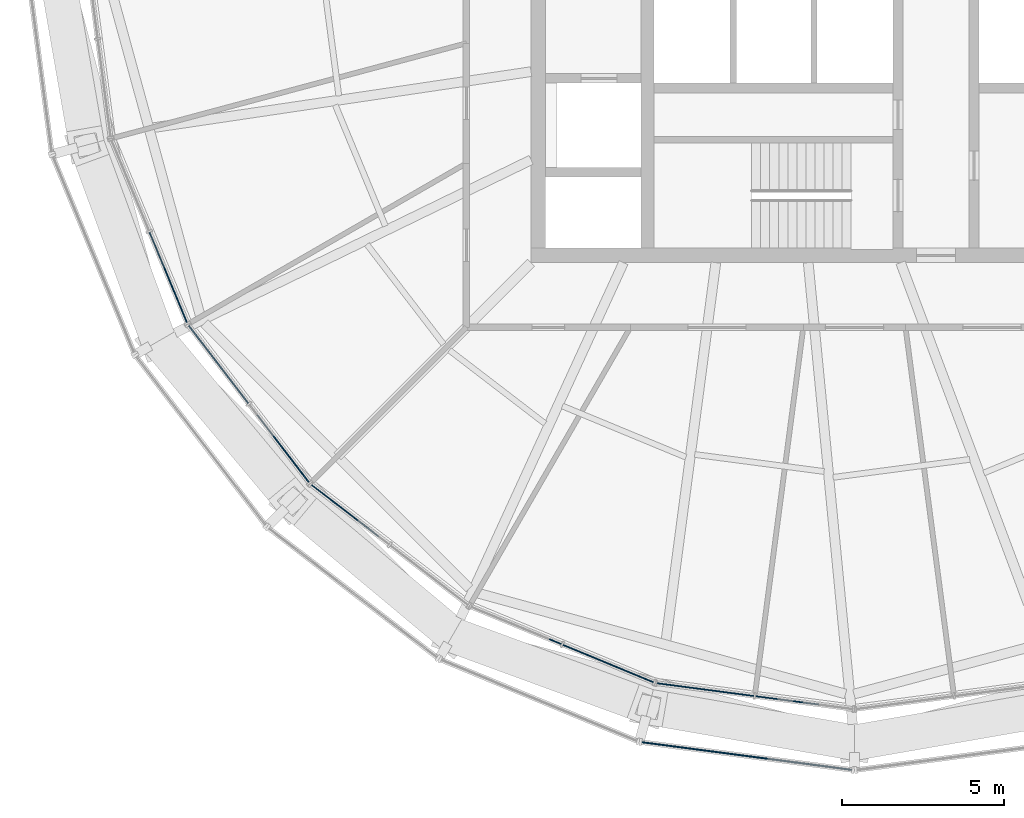
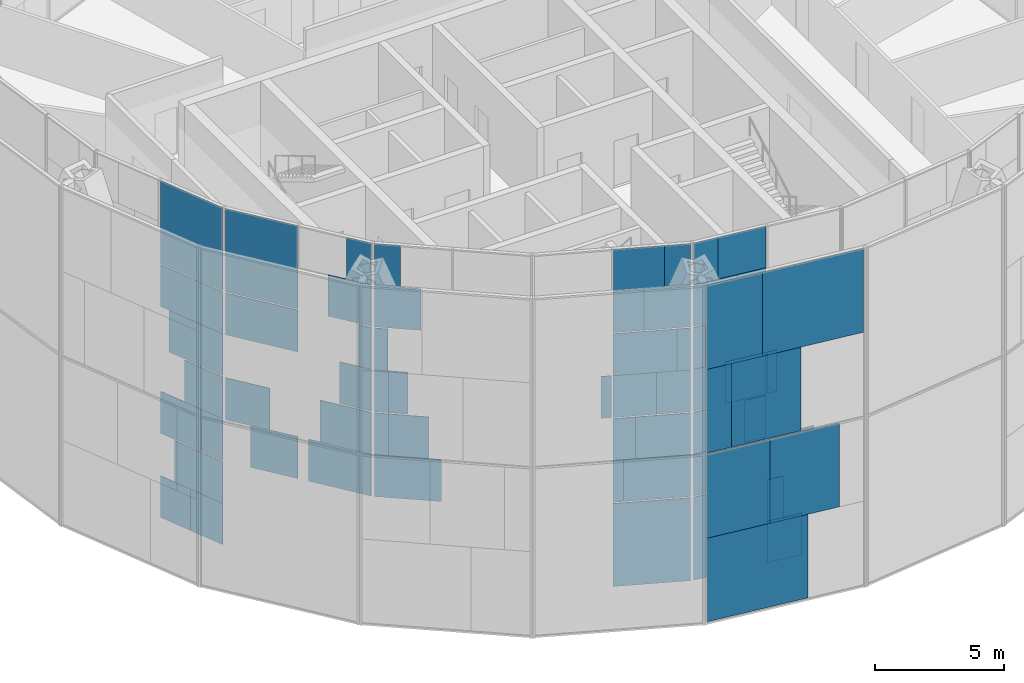
# One storey, part 13 of 28: 63 plates, 6 elements without a shape of their own.
"""IFC4 building model written with IfcOpenShell, lengths in metres."""

from ifc_helpers import new_model, si_unit, direction, frame, origin, origin_2d, place, context, subcontext, project, spatial, rectangle, extrude, material, layer, layer_set, type_object, element, aggregate, save


model = new_model("IFC4")

# Units and contexts
model_context = context("Model", 3, precision=1e-05, world=origin(), true_north=direction((0.0, 1.0)))
body_context = subcontext(model_context, "Body", "Model", "MODEL_VIEW")
ifc_project = project(units=[si_unit("LENGTHUNIT", "METRE"), si_unit("AREAUNIT", "SQUARE_METRE"), si_unit("VOLUMEUNIT", "CUBIC_METRE"), si_unit("PLANEANGLEUNIT", "RADIAN"), si_unit("MASSUNIT", "GRAM", prefix="KILO")], contexts=[model_context])

# Site, building, storey
site_placement = place(None, origin())
site = spatial("IfcSite", under=ifc_project, at=site_placement, CompositionType="ELEMENT")
building_placement = place(site_placement, origin())
building = spatial("IfcBuilding", under=site, at=building_placement, Name="Golbaran Civic Tower", CompositionType="ELEMENT")
storey_placement = place(building_placement, frame((0.0, 0.0, 183.0)))
storey = spatial("IfcBuildingStorey", under=building, at=storey_placement, Name="L44", CompositionType="ELEMENT", Elevation=183.0)

# Curtain wall, plates
ifc_material_1 = material(Name="Aluminium and glass", Category="aluminium")
curtain_wall_type_1 = type_object("IfcCurtainWallType", Name="INNER SKIN CURTAIN WALL EXECUTIVE", PredefinedType="NOTDEFINED", material=ifc_material_1)
curtain_wall_1_placement = place(storey_placement, origin())
curtain_wall_1 = element("IfcCurtainWall", 1, at=curtain_wall_1_placement, inside=storey, type_object=curtain_wall_type_1, Name="Inner skin L44 facet 14 CW2", ObjectType="INNER SKIN", PredefinedType="USERDEFINED")
ifc_material_2 = material(Name="Clear insulating glass", Category="glass")
ifc_layer_1 = layer(ifc_material_2, 0.031982421875, Name="Clear insulating glass")
ifc_layer_set_1 = layer_set([ifc_layer_1], Name="Clear insulating glass")
plate_type_1 = type_object("IfcPlateType", Name="INNER SKIN CURTAIN WALL EXECUTIVE GLAZED PANEL", PredefinedType="CURTAIN_PANEL", material=ifc_layer_set_1)
plate_1_placement = place(storey_placement, frame((-21.5205078125, -9.736083984375, 0.06005859375), z_axis=(0.0, 0.0, 1.0), x_axis=(0.382683432413, -0.923879532491, 0.0)))
plate_1 = element("IfcPlate", 2, at=plate_1_placement, type_object=plate_type_1, Name="CW2 panel 2.1 part 1", PredefinedType="CURTAIN_PANEL", context=body_context, shape_type="SweptSolid", body=[
    extrude(rectangle(XDim=1.458984375, YDim=0.031982421875, at=origin_2d()), origin(), (0.0, 0.0, 1.0), 1.955078125),
])
plate_2_placement = place(storey_placement, frame((-20.84765625, -11.36083984375, 4.02978515625), z_axis=(0.0, 0.0, 1.0), x_axis=(0.382683432413, -0.923879532491, 0.0)))
plate_2 = element("IfcPlate", 3, at=plate_2_placement, type_object=plate_type_1, Name="CW2 panel 2.2 part 2", PredefinedType="CURTAIN_PANEL", context=body_context, shape_type="SweptSolid", body=[
    extrude(rectangle(XDim=1.06005859375, YDim=0.031982421875, at=origin_2d()), origin(), (0.0, 0.0, 1.0), 1.969970703125),
])
plate_3_placement = place(storey_placement, frame((-20.999755859375, -10.99365234375, 6.0), z_axis=(0.0, 0.0, 1.0), x_axis=(0.382683432413, -0.923879532491, 0.0)))
plate_3 = element("IfcPlate", 4, at=plate_3_placement, type_object=plate_type_1, Name="CW2 panel 2.2 part 4", PredefinedType="CURTAIN_PANEL", context=body_context, shape_type="SweptSolid", body=[
    extrude(rectangle(XDim=1.85498046875, YDim=0.031982421875, at=origin_2d()), origin(), (0.0, 0.0, 1.0), 1.969970703125),
])
plate_4_placement = place(storey_placement, frame((-21.1455078125, -10.6416015625, 8.02978515625), z_axis=(0.0, 0.0, 1.0), x_axis=(0.382683432413, -0.923879532491, 0.0)))
plate_4 = element("IfcPlate", 5, at=plate_4_placement, type_object=plate_type_1, Name="CW2 panel 2.3 part 2", PredefinedType="CURTAIN_PANEL", context=body_context, shape_type="SweptSolid", body=[
    extrude(rectangle(XDim=2.6171875, YDim=0.031982421875, at=origin_2d()), origin(), (0.0, 0.0, 1.0), 1.969970703125),
])
plate_5_placement = place(storey_placement, frame((-21.22216796875, -10.456298828125, 10.0), z_axis=(0.0, 0.0, 1.0), x_axis=(0.382683432413, -0.923879532491, 0.0)))
plate_5 = element("IfcPlate", 6, at=plate_5_placement, type_object=plate_type_1, Name="CW2 panel 2.3 part 3", PredefinedType="CURTAIN_PANEL", context=body_context, shape_type="SweptSolid", body=[
    extrude(rectangle(XDim=3.01806640625, YDim=0.031982421875, at=origin_2d()), origin(), (0.0, 0.0, 1.0), 1.969970703125),
])
plate_6_placement = place(storey_placement, frame((-21.22216796875, -10.456298828125, 12.0302734375), z_axis=(0.0, 0.0, 1.0), x_axis=(0.382683432413, -0.923879532491, 0.0)))
plate_6 = element("IfcPlate", 7, at=plate_6_placement, type_object=plate_type_1, Name="CW2 panel 2.4", PredefinedType="CURTAIN_PANEL", context=body_context, shape_type="SweptSolid", body=[
    extrude(rectangle(XDim=3.01806640625, YDim=0.031982421875, at=origin_2d()), origin(), (0.0, 0.0, 1.0), 3.909912109375),
])

curtain_wall_2_placement = place(storey_placement, origin())
curtain_wall_2 = element("IfcCurtainWall", 8, at=curtain_wall_2_placement, inside=storey, type_object=curtain_wall_type_1, Name="Inner skin L44 facet 15 CW2", ObjectType="INNER SKIN", PredefinedType="USERDEFINED")
plate_7_placement = place(storey_placement, frame((-20.020751953125, -12.689453125, 6.0), z_axis=(0.0, 0.0, 1.0), x_axis=(0.608761428953, -0.793353340334, 0.0)))
plate_7 = element("IfcPlate", 9, at=plate_7_placement, type_object=plate_type_1, Name="CW2 panel 1.2 part 3", PredefinedType="CURTAIN_PANEL", context=body_context, shape_type="SweptSolid", body=[
    extrude(rectangle(XDim=1.85498046875, YDim=0.031982421875, at=origin_2d()), origin(), (0.0, 0.0, 1.0), 1.969970703125),
])
plate_8_placement = place(storey_placement, frame((-19.66650390625, -13.15087890625, 10.0), z_axis=(0.0, 0.0, 1.0), x_axis=(0.608761428953, -0.793353340334, 0.0)))
plate_8 = element("IfcPlate", 10, at=plate_8_placement, type_object=plate_type_1, Name="CW2 panel 1.3 part 3", PredefinedType="CURTAIN_PANEL", context=body_context, shape_type="SweptSolid", body=[
    extrude(rectangle(XDim=3.01806640625, YDim=0.031982421875, at=origin_2d()), origin(), (0.0, 0.0, 1.0), 1.969970703125),
])
plate_9_placement = place(storey_placement, frame((-19.66650390625, -13.15087890625, 12.0302734375), z_axis=(0.0, 0.0, 1.0), x_axis=(0.608761428953, -0.793353340334, 0.0)))
plate_9 = element("IfcPlate", 11, at=plate_9_placement, type_object=plate_type_1, Name="CW2 panel 1.4", PredefinedType="CURTAIN_PANEL", context=body_context, shape_type="SweptSolid", body=[
    extrude(rectangle(XDim=3.01806640625, YDim=0.031982421875, at=origin_2d()), origin(), (0.0, 0.0, 1.0), 3.909912109375),
])
plate_10_placement = place(storey_placement, frame((-17.671142578125, -15.75146484375, 4.02978515625), z_axis=(0.0, 0.0, 1.0), x_axis=(0.608761428953, -0.793353340334, 0.0)))
plate_10 = element("IfcPlate", 12, at=plate_10_placement, type_object=plate_type_1, Name="CW2 panel 2.2 part 2", PredefinedType="CURTAIN_PANEL", context=body_context, shape_type="SweptSolid", body=[
    extrude(rectangle(XDim=2.6181640625, YDim=0.031982421875, at=origin_2d()), origin(), (0.0, 0.0, 1.0), 1.969970703125),
])
plate_11_placement = place(storey_placement, frame((-17.5244140625, -15.942626953125, 6.0), z_axis=(0.0, 0.0, 1.0), x_axis=(0.608761428953, -0.793353340334, 0.0)))
plate_11 = element("IfcPlate", 13, at=plate_11_placement, type_object=plate_type_1, Name="CW2 panel 2.2 part 4", PredefinedType="CURTAIN_PANEL", context=body_context, shape_type="SweptSolid", body=[
    extrude(rectangle(XDim=2.135986328125, YDim=0.031982421875, at=origin_2d()), origin(), (0.0, 0.0, 1.0), 1.969970703125),
])
plate_12_placement = place(storey_placement, frame((-17.275146484375, -16.267578125, 8.02978515625), z_axis=(0.0, 0.0, 1.0), x_axis=(0.608761428953, -0.793353340334, 0.0)))
plate_12 = element("IfcPlate", 14, at=plate_12_placement, type_object=plate_type_1, Name="CW2 panel 2.3 part 2", PredefinedType="CURTAIN_PANEL", context=body_context, shape_type="SweptSolid", body=[
    extrude(rectangle(XDim=1.317138671875, YDim=0.031982421875, at=origin_2d()), origin(), (0.0, 0.0, 1.0), 1.969970703125),
])
plate_13_placement = place(storey_placement, frame((-17.033447265625, -16.58251953125, 10.0), z_axis=(0.0, 0.0, 1.0), x_axis=(0.608761428953, -0.793353340334, 0.0)))
plate_13 = element("IfcPlate", 15, at=plate_13_placement, type_object=plate_type_1, Name="CW2 panel 2.3 part 4", PredefinedType="CURTAIN_PANEL", context=body_context, shape_type="SweptSolid", body=[
    extrude(rectangle(XDim=0.523193359375, YDim=0.031982421875, at=origin_2d()), origin(), (0.0, 0.0, 1.0), 1.969970703125),
])

curtain_wall_3_placement = place(storey_placement, origin())
curtain_wall_3 = element("IfcCurtainWall", 16, at=curtain_wall_3_placement, inside=storey, type_object=curtain_wall_type_1, Name="Inner skin L44 facet 16 CW2", ObjectType="INNER SKIN", PredefinedType="USERDEFINED")
plate_14_placement = place(storey_placement, frame((-15.751953125, -17.670654296875, 4.02978515625), z_axis=(0.0, 0.0, 1.0), x_axis=(0.793353340334, -0.608761428953, 0.0)))
plate_14 = element("IfcPlate", 17, at=plate_14_placement, type_object=plate_type_1, Name="CW2 panel 1.2 part 1", PredefinedType="CURTAIN_PANEL", context=body_context, shape_type="SweptSolid", body=[
    extrude(rectangle(XDim=2.616943359375, YDim=0.031982421875, at=origin_2d()), origin(), (0.0, 0.0, 1.0), 1.969970703125),
])
plate_15_placement = place(storey_placement, frame((-15.942626953125, -17.5244140625, 6.0), z_axis=(0.0, 0.0, 1.0), x_axis=(0.793353340334, -0.608761428953, 0.0)))
plate_15 = element("IfcPlate", 18, at=plate_15_placement, type_object=plate_type_1, Name="CW2 panel 1.2 part 3", PredefinedType="CURTAIN_PANEL", context=body_context, shape_type="SweptSolid", body=[
    extrude(rectangle(XDim=2.135986328125, YDim=0.031982421875, at=origin_2d()), origin(), (0.0, 0.0, 1.0), 1.969970703125),
])
plate_16_placement = place(storey_placement, frame((-16.267578125, -17.27490234375, 8.02978515625), z_axis=(0.0, 0.0, 1.0), x_axis=(0.793353340334, -0.608761428953, 0.0)))
plate_16 = element("IfcPlate", 19, at=plate_16_placement, type_object=plate_type_1, Name="CW2 panel 1.3 part 1", PredefinedType="CURTAIN_PANEL", context=body_context, shape_type="SweptSolid", body=[
    extrude(rectangle(XDim=1.31689453125, YDim=0.031982421875, at=origin_2d()), origin(), (0.0, 0.0, 1.0), 1.969970703125),
])
plate_17_placement = place(storey_placement, frame((-16.58251953125, -17.033447265625, 10.0), z_axis=(0.0, 0.0, 1.0), x_axis=(0.793353340334, -0.608761428953, 0.0)))
plate_17 = element("IfcPlate", 20, at=plate_17_placement, type_object=plate_type_1, Name="CW2 panel 1.3 part 3", PredefinedType="CURTAIN_PANEL", context=body_context, shape_type="SweptSolid", body=[
    extrude(rectangle(XDim=0.52294921875, YDim=0.031982421875, at=origin_2d()), origin(), (0.0, 0.0, 1.0), 1.969970703125),
])

curtain_wall_4_placement = place(storey_placement, origin())
curtain_wall_4 = element("IfcCurtainWall", 21, at=curtain_wall_4_placement, inside=storey, type_object=curtain_wall_type_1, Name="Inner skin L44 facet 17 CW2", ObjectType="INNER SKIN", PredefinedType="USERDEFINED")
plate_18_placement = place(storey_placement, frame((-7.612548828125, -22.400146484375, 0.06005859375), z_axis=(0.0, 0.0, 1.0), x_axis=(0.923879532491, -0.382683432413, 0.0)))
plate_18 = element("IfcPlate", 22, at=plate_18_placement, type_object=plate_type_1, Name="CW2 panel 2.1", PredefinedType="CURTAIN_PANEL", context=body_context, shape_type="SweptSolid", body=[
    extrude(rectangle(XDim=3.01806640625, YDim=0.031982421875, at=origin_2d()), origin(), (0.0, 0.0, 1.0), 3.909912109375),
])
plate_19_placement = place(storey_placement, frame((-7.427734375, -22.476806640625, 4.02978515625), z_axis=(0.0, 0.0, 1.0), x_axis=(0.923879532491, -0.382683432413, 0.0)))
plate_19 = element("IfcPlate", 23, at=plate_19_placement, type_object=plate_type_1, Name="CW2 panel 2.2 part 2", PredefinedType="CURTAIN_PANEL", context=body_context, shape_type="SweptSolid", body=[
    extrude(rectangle(XDim=2.6181640625, YDim=0.031982421875, at=origin_2d()), origin(), (0.0, 0.0, 1.0), 1.969970703125),
])
plate_20_placement = place(storey_placement, frame((-7.205078125, -22.56884765625, 6.0), z_axis=(0.0, 0.0, 1.0), x_axis=(0.923879532491, -0.382683432413, 0.0)))
plate_20 = element("IfcPlate", 24, at=plate_20_placement, type_object=plate_type_1, Name="CW2 panel 2.2 part 4", PredefinedType="CURTAIN_PANEL", context=body_context, shape_type="SweptSolid", body=[
    extrude(rectangle(XDim=2.135986328125, YDim=0.031982421875, at=origin_2d()), origin(), (0.0, 0.0, 1.0), 1.969970703125),
])
plate_21_placement = place(storey_placement, frame((-6.826904296875, -22.7255859375, 8.02978515625), z_axis=(0.0, 0.0, 1.0), x_axis=(0.923879532491, -0.382683432413, 0.0)))
plate_21 = element("IfcPlate", 25, at=plate_21_placement, type_object=plate_type_1, Name="CW2 panel 2.3 part 2", PredefinedType="CURTAIN_PANEL", context=body_context, shape_type="SweptSolid", body=[
    extrude(rectangle(XDim=1.317138671875, YDim=0.031982421875, at=origin_2d()), origin(), (0.0, 0.0, 1.0), 1.969970703125),
])
plate_22_placement = place(storey_placement, frame((-6.4599609375, -22.877685546875, 10.0), z_axis=(0.0, 0.0, 1.0), x_axis=(0.923879532491, -0.382683432413, 0.0)))
plate_22 = element("IfcPlate", 26, at=plate_22_placement, type_object=plate_type_1, Name="CW2 panel 2.3 part 4", PredefinedType="CURTAIN_PANEL", context=body_context, shape_type="SweptSolid", body=[
    extrude(rectangle(XDim=0.523193359375, YDim=0.031982421875, at=origin_2d()), origin(), (0.0, 0.0, 1.0), 1.969970703125),
])
plate_23_placement = place(storey_placement, frame((-8.44873046875, -22.0537109375, 12.030029296875), z_axis=(0.0, 0.0, 1.0), x_axis=(0.923879532491, -0.382683432413, 0.0)))
plate_23 = element("IfcPlate", 27, at=plate_23_placement, type_object=plate_type_1, Name="CW2 panel 2.4 part 1", PredefinedType="CURTAIN_PANEL", context=body_context, shape_type="SweptSolid", body=[
    extrude(rectangle(XDim=1.2080078125, YDim=0.031982421875, at=origin_2d()), origin(), (0.0, 0.0, 1.0), 1.955078125),
])
plate_24_placement = place(storey_placement, frame((-8.084716796875, -22.20458984375, 13.98486328125), z_axis=(0.0, 0.0, 1.0), x_axis=(0.923879532491, -0.382683432413, 0.0)))
plate_24 = element("IfcPlate", 28, at=plate_24_placement, type_object=plate_type_1, Name="CW2 panel 2.4 part 3", PredefinedType="CURTAIN_PANEL", context=body_context, shape_type="SweptSolid", body=[
    extrude(rectangle(XDim=1.99609375, YDim=0.031982421875, at=origin_2d()), origin(), (0.0, 0.0, 1.0), 1.955078125),
])

curtain_wall_5_placement = place(storey_placement, origin())
curtain_wall_5 = element("IfcCurtainWall", 29, at=curtain_wall_5_placement, inside=storey, type_object=curtain_wall_type_1, Name="Inner skin L44 facet 18 CW2", ObjectType="INNER SKIN", PredefinedType="USERDEFINED")
plate_25_placement = place(storey_placement, frame((-4.607421875, -23.205322265625, 0.06005859375), z_axis=(0.0, 0.0, 1.0), x_axis=(0.991444861383, -0.130526192151, 0.0)))
plate_25 = element("IfcPlate", 30, at=plate_25_placement, type_object=plate_type_1, Name="CW2 panel 1.1", PredefinedType="CURTAIN_PANEL", context=body_context, shape_type="SweptSolid", body=[
    extrude(rectangle(XDim=3.01806640625, YDim=0.031982421875, at=origin_2d()), origin(), (0.0, 0.0, 1.0), 3.909912109375),
])
plate_26_placement = place(storey_placement, frame((-4.80615234375, -23.17919921875, 4.02978515625), z_axis=(0.0, 0.0, 1.0), x_axis=(0.991444861383, -0.130526192151, 0.0)))
plate_26 = element("IfcPlate", 31, at=plate_26_placement, type_object=plate_type_1, Name="CW2 panel 1.2 part 1", PredefinedType="CURTAIN_PANEL", context=body_context, shape_type="SweptSolid", body=[
    extrude(rectangle(XDim=2.616943359375, YDim=0.031982421875, at=origin_2d()), origin(), (0.0, 0.0, 1.0), 1.969970703125),
])
plate_27_placement = place(storey_placement, frame((-5.044677734375, -23.14794921875, 6.0), z_axis=(0.0, 0.0, 1.0), x_axis=(0.991444861383, -0.130526192151, 0.0)))
plate_27 = element("IfcPlate", 32, at=plate_27_placement, type_object=plate_type_1, Name="CW2 panel 1.2 part 3", PredefinedType="CURTAIN_PANEL", context=body_context, shape_type="SweptSolid", body=[
    extrude(rectangle(XDim=2.135986328125, YDim=0.031982421875, at=origin_2d()), origin(), (0.0, 0.0, 1.0), 1.969970703125),
])
plate_28_placement = place(storey_placement, frame((-5.45068359375, -23.094482421875, 8.02978515625), z_axis=(0.0, 0.0, 1.0), x_axis=(0.991444861383, -0.130526192151, 0.0)))
plate_28 = element("IfcPlate", 33, at=plate_28_placement, type_object=plate_type_1, Name="CW2 panel 1.3 part 1", PredefinedType="CURTAIN_PANEL", context=body_context, shape_type="SweptSolid", body=[
    extrude(rectangle(XDim=1.31689453125, YDim=0.031982421875, at=origin_2d()), origin(), (0.0, 0.0, 1.0), 1.969970703125),
])
plate_29_placement = place(storey_placement, frame((-5.84423828125, -23.04248046875, 10.0), z_axis=(0.0, 0.0, 1.0), x_axis=(0.991444861383, -0.130526192151, 0.0)))
plate_29 = element("IfcPlate", 34, at=plate_29_placement, type_object=plate_type_1, Name="CW2 panel 1.3 part 3", PredefinedType="CURTAIN_PANEL", context=body_context, shape_type="SweptSolid", body=[
    extrude(rectangle(XDim=0.52294921875, YDim=0.031982421875, at=origin_2d()), origin(), (0.0, 0.0, 1.0), 1.969970703125),
])
plate_30_placement = place(storey_placement, frame((-3.710205078125, -23.323486328125, 12.030029296875), z_axis=(0.0, 0.0, 1.0), x_axis=(0.991444861383, -0.130526192151, 0.0)))
plate_30 = element("IfcPlate", 35, at=plate_30_placement, type_object=plate_type_1, Name="CW2 panel 1.4 part 2", PredefinedType="CURTAIN_PANEL", context=body_context, shape_type="SweptSolid", body=[
    extrude(rectangle(XDim=1.2080078125, YDim=0.031982421875, at=origin_2d()), origin(), (0.0, 0.0, 1.0), 1.955078125),
])
plate_31_placement = place(storey_placement, frame((-4.100830078125, -23.272216796875, 13.98486328125), z_axis=(0.0, 0.0, 1.0), x_axis=(0.991444861383, -0.130526192151, 0.0)))
plate_31 = element("IfcPlate", 36, at=plate_31_placement, type_object=plate_type_1, Name="CW2 panel 1.4 part 4", PredefinedType="CURTAIN_PANEL", context=body_context, shape_type="SweptSolid", body=[
    extrude(rectangle(XDim=1.99609375, YDim=0.031982421875, at=origin_2d()), origin(), (0.0, 0.0, 1.0), 1.955078125),
])
plate_32_placement = place(storey_placement, frame((-2.32861328125, -23.50537109375, 0.06005859375), z_axis=(0.0, 0.0, 1.0), x_axis=(0.991444861383, -0.130526192151, 0.0)))
plate_32 = element("IfcPlate", 37, at=plate_32_placement, type_object=plate_type_1, Name="CW2 panel 2.1 part 1", PredefinedType="CURTAIN_PANEL", context=body_context, shape_type="SweptSolid", body=[
    extrude(rectangle(XDim=1.458984375, YDim=0.031982421875, at=origin_2d()), origin(), (0.0, 0.0, 1.0), 1.955078125),
])
plate_33_placement = place(storey_placement, frame((-2.7197265625, -23.453857421875, 2.014892578125), z_axis=(0.0, 0.0, 1.0), x_axis=(0.991444861383, -0.130526192151, 0.0)))
plate_33 = element("IfcPlate", 38, at=plate_33_placement, type_object=plate_type_1, Name="CW2 panel 2.1 part 3", PredefinedType="CURTAIN_PANEL", context=body_context, shape_type="SweptSolid", body=[
    extrude(rectangle(XDim=0.669921875, YDim=0.031982421875, at=origin_2d()), origin(), (0.0, 0.0, 1.0), 1.955078125),
])

# Plate
ifc_material_3 = material(Name="Aluminium faced opaque infill panel", Category="aluminium")
ifc_layer_2 = layer(ifc_material_3, 0.031982421875, Name="Aluminium faced opaque infill panel")
ifc_layer_set_2 = layer_set([ifc_layer_2], Name="Aluminium faced opaque infill panel")
plate_type_2 = type_object("IfcPlateType", Name="INNER SKIN CURTAIN WALL EXECUTIVE OPAQUE INFILL PANEL", PredefinedType="CURTAIN_PANEL", material=ifc_layer_set_2)
plate_34_placement = place(storey_placement, frame((-20.943115234375, -11.13037109375, 0.06005859375), z_axis=(0.0, 0.0, 1.0), x_axis=(0.382683432413, -0.923879532491, 0.0)))
plate_34 = element("IfcPlate", 39, at=plate_34_placement, type_object=plate_type_2, Name="CW2 infill panel 2.1 part 2", PredefinedType="CURTAIN_PANEL", context=body_context, shape_type="SweptSolid", body=[
    extrude(rectangle(XDim=1.55908203125, YDim=0.031982421875, at=origin_2d()), origin(), (0.0, 0.0, 1.0), 1.955078125),
])

plate_35_placement = place(storey_placement, frame((-21.093994140625, -10.765869140625, 2.014892578125), z_axis=(0.0, 0.0, 1.0), x_axis=(0.382683432413, -0.923879532491, 0.0)))
plate_35 = element("IfcPlate", 40, at=plate_35_placement, type_object=plate_type_2, Name="CW2 infill panel 2.1 part 4", PredefinedType="CURTAIN_PANEL", context=body_context, shape_type="SweptSolid", body=[
    extrude(rectangle(XDim=2.34814453125, YDim=0.031982421875, at=origin_2d()), origin(), (0.0, 0.0, 1.0), 1.955078125),
])

plate_36_placement = place(storey_placement, frame((-21.425048828125, -9.966796875, 4.02978515625), z_axis=(0.0, 0.0, 1.0), x_axis=(0.382683432413, -0.923879532491, 0.0)))
plate_36 = element("IfcPlate", 41, at=plate_36_placement, type_object=plate_type_2, Name="CW2 infill panel 2.2 part 1", PredefinedType="CURTAIN_PANEL", context=body_context, shape_type="SweptSolid", body=[
    extrude(rectangle(XDim=1.9580078125, YDim=0.031982421875, at=origin_2d()), origin(), (0.0, 0.0, 1.0), 1.969970703125),
])

aggregate(curtain_wall_1, [plate_1, plate_34, plate_35, plate_36, plate_2, plate_3, plate_4, plate_5, plate_6])

plate_37_placement = place(storey_placement, frame((-19.343994140625, -13.5712890625, 4.02978515625), z_axis=(0.0, 0.0, 1.0), x_axis=(0.608761428953, -0.793353340334, 0.0)))
plate_37 = element("IfcPlate", 42, at=plate_37_placement, type_object=plate_type_2, Name="CW2 infill panel 1.2 part 2", PredefinedType="CURTAIN_PANEL", context=body_context, shape_type="SweptSolid", body=[
    extrude(rectangle(XDim=1.9580078125, YDim=0.031982421875, at=origin_2d()), origin(), (0.0, 0.0, 1.0), 1.969970703125),
])

plate_38_placement = place(storey_placement, frame((-17.425048828125, -16.072021484375, 12.030029296875), z_axis=(0.0, 0.0, 1.0), x_axis=(0.608761428953, -0.793353340334, 0.0)))
plate_38 = element("IfcPlate", 43, at=plate_38_placement, type_object=plate_type_2, Name="CW2 infill panel 2.4 part 2", PredefinedType="CURTAIN_PANEL", context=body_context, shape_type="SweptSolid", body=[
    extrude(rectangle(XDim=1.81005859375, YDim=0.031982421875, at=origin_2d()), origin(), (0.0, 0.0, 1.0), 1.955078125),
])

plate_39_placement = place(storey_placement, frame((-17.185302734375, -16.384521484375, 13.98486328125), z_axis=(0.0, 0.0, 1.0), x_axis=(0.608761428953, -0.793353340334, 0.0)))
plate_39 = element("IfcPlate", 44, at=plate_39_placement, type_object=plate_type_2, Name="CW2 infill panel 2.4 part 4", PredefinedType="CURTAIN_PANEL", context=body_context, shape_type="SweptSolid", body=[
    extrude(rectangle(XDim=1.02197265625, YDim=0.031982421875, at=origin_2d()), origin(), (0.0, 0.0, 1.0), 1.955078125),
])

aggregate(curtain_wall_2, [plate_37, plate_7, plate_8, plate_9, plate_10, plate_11, plate_12, plate_13, plate_38, plate_39])

plate_40_placement = place(storey_placement, frame((-16.072021484375, -17.425048828125, 12.030029296875), z_axis=(0.0, 0.0, 1.0), x_axis=(0.793353340334, -0.608761428953, 0.0)))
plate_40 = element("IfcPlate", 45, at=plate_40_placement, type_object=plate_type_2, Name="CW2 infill panel 1.4 part 1", PredefinedType="CURTAIN_PANEL", context=body_context, shape_type="SweptSolid", body=[
    extrude(rectangle(XDim=1.81005859375, YDim=0.031982421875, at=origin_2d()), origin(), (0.0, 0.0, 1.0), 1.955078125),
])

plate_41_placement = place(storey_placement, frame((-16.384521484375, -17.185302734375, 13.98486328125), z_axis=(0.0, 0.0, 1.0), x_axis=(0.793353340334, -0.608761428953, 0.0)))
plate_41 = element("IfcPlate", 46, at=plate_41_placement, type_object=plate_type_2, Name="CW2 infill panel 1.4 part 3", PredefinedType="CURTAIN_PANEL", context=body_context, shape_type="SweptSolid", body=[
    extrude(rectangle(XDim=1.02197265625, YDim=0.031982421875, at=origin_2d()), origin(), (0.0, 0.0, 1.0), 1.955078125),
])

aggregate(curtain_wall_3, [plate_14, plate_15, plate_16, plate_17, plate_40, plate_41])

plate_42_placement = place(storey_placement, frame((-9.24755859375, -21.722900390625, 8.02978515625), z_axis=(0.0, 0.0, 1.0), x_axis=(0.923879532491, -0.382683432413, 0.0)))
plate_42 = element("IfcPlate", 47, at=plate_42_placement, type_object=plate_type_2, Name="CW2 infill panel 1.3 part 2", PredefinedType="CURTAIN_PANEL", context=body_context, shape_type="SweptSolid", body=[
    extrude(rectangle(XDim=0.401123046875, YDim=0.031982421875, at=origin_2d()), origin(), (0.0, 0.0, 1.0), 1.969970703125),
])

plate_43_placement = place(storey_placement, frame((-8.822021484375, -21.899169921875, 4.02978515625), z_axis=(0.0, 0.0, 1.0), x_axis=(0.923879532491, -0.382683432413, 0.0)))
plate_43 = element("IfcPlate", 48, at=plate_43_placement, type_object=plate_type_2, Name="CW2 infill panel 2.2 part 1", PredefinedType="CURTAIN_PANEL", context=body_context, shape_type="SweptSolid", body=[
    extrude(rectangle(XDim=0.39990234375, YDim=0.031982421875, at=origin_2d()), origin(), (0.0, 0.0, 1.0), 1.969970703125),
])

plate_44_placement = place(storey_placement, frame((-8.599365234375, -21.991455078125, 6.0), z_axis=(0.0, 0.0, 1.0), x_axis=(0.923879532491, -0.382683432413, 0.0)))
plate_44 = element("IfcPlate", 49, at=plate_44_placement, type_object=plate_type_2, Name="CW2 infill panel 2.2 part 3", PredefinedType="CURTAIN_PANEL", context=body_context, shape_type="SweptSolid", body=[
    extrude(rectangle(XDim=0.882080078125, YDim=0.031982421875, at=origin_2d()), origin(), (0.0, 0.0, 1.0), 1.969970703125),
])

plate_45_placement = place(storey_placement, frame((-8.220947265625, -22.148193359375, 8.02978515625), z_axis=(0.0, 0.0, 1.0), x_axis=(0.923879532491, -0.382683432413, 0.0)))
plate_45 = element("IfcPlate", 50, at=plate_45_placement, type_object=plate_type_2, Name="CW2 infill panel 2.3 part 1", PredefinedType="CURTAIN_PANEL", context=body_context, shape_type="SweptSolid", body=[
    extrude(rectangle(XDim=1.700927734375, YDim=0.031982421875, at=origin_2d()), origin(), (0.0, 0.0, 1.0), 1.969970703125),
])

plate_46_placement = place(storey_placement, frame((-7.854248046875, -22.300048828125, 10.0), z_axis=(0.0, 0.0, 1.0), x_axis=(0.923879532491, -0.382683432413, 0.0)))
plate_46 = element("IfcPlate", 51, at=plate_46_placement, type_object=plate_type_2, Name="CW2 infill panel 2.3 part 3", PredefinedType="CURTAIN_PANEL", context=body_context, shape_type="SweptSolid", body=[
    extrude(rectangle(XDim=2.4951171875, YDim=0.031982421875, at=origin_2d()), origin(), (0.0, 0.0, 1.0), 1.969970703125),
])

plate_47_placement = place(storey_placement, frame((-7.0546875, -22.63134765625, 12.030029296875), z_axis=(0.0, 0.0, 1.0), x_axis=(0.923879532491, -0.382683432413, 0.0)))
plate_47 = element("IfcPlate", 52, at=plate_47_placement, type_object=plate_type_2, Name="CW2 infill panel 2.4 part 2", PredefinedType="CURTAIN_PANEL", context=body_context, shape_type="SweptSolid", body=[
    extrude(rectangle(XDim=1.81005859375, YDim=0.031982421875, at=origin_2d()), origin(), (0.0, 0.0, 1.0), 1.955078125),
])

plate_48_placement = place(storey_placement, frame((-6.690673828125, -22.781982421875, 13.98486328125), z_axis=(0.0, 0.0, 1.0), x_axis=(0.923879532491, -0.382683432413, 0.0)))
plate_48 = element("IfcPlate", 53, at=plate_48_placement, type_object=plate_type_2, Name="CW2 infill panel 2.4 part 4", PredefinedType="CURTAIN_PANEL", context=body_context, shape_type="SweptSolid", body=[
    extrude(rectangle(XDim=1.02197265625, YDim=0.031982421875, at=origin_2d()), origin(), (0.0, 0.0, 1.0), 1.955078125),
])

aggregate(curtain_wall_4, [plate_42, plate_18, plate_43, plate_19, plate_44, plate_20, plate_45, plate_21, plate_46, plate_22, plate_23, plate_47, plate_24, plate_48])

plate_49_placement = place(storey_placement, frame((-3.31005859375, -23.376220703125, 4.02978515625), z_axis=(0.0, 0.0, 1.0), x_axis=(0.991444861383, -0.130526192151, 0.0)))
plate_49 = element("IfcPlate", 54, at=plate_49_placement, type_object=plate_type_2, Name="CW2 infill panel 1.2 part 2", PredefinedType="CURTAIN_PANEL", context=body_context, shape_type="SweptSolid", body=[
    extrude(rectangle(XDim=0.401123046875, YDim=0.031982421875, at=origin_2d()), origin(), (0.0, 0.0, 1.0), 1.969970703125),
])

plate_50_placement = place(storey_placement, frame((-3.548583984375, -23.3447265625, 6.0), z_axis=(0.0, 0.0, 1.0), x_axis=(0.991444861383, -0.130526192151, 0.0)))
plate_50 = element("IfcPlate", 55, at=plate_50_placement, type_object=plate_type_2, Name="CW2 infill panel 1.2 part 4", PredefinedType="CURTAIN_PANEL", context=body_context, shape_type="SweptSolid", body=[
    extrude(rectangle(XDim=0.882080078125, YDim=0.031982421875, at=origin_2d()), origin(), (0.0, 0.0, 1.0), 1.969970703125),
])

plate_51_placement = place(storey_placement, frame((-3.95458984375, -23.291259765625, 8.02978515625), z_axis=(0.0, 0.0, 1.0), x_axis=(0.991444861383, -0.130526192151, 0.0)))
plate_51 = element("IfcPlate", 56, at=plate_51_placement, type_object=plate_type_2, Name="CW2 infill panel 1.3 part 2", PredefinedType="CURTAIN_PANEL", context=body_context, shape_type="SweptSolid", body=[
    extrude(rectangle(XDim=1.701171875, YDim=0.031982421875, at=origin_2d()), origin(), (0.0, 0.0, 1.0), 1.969970703125),
])

plate_52_placement = place(storey_placement, frame((-4.34814453125, -23.239501953125, 10.0), z_axis=(0.0, 0.0, 1.0), x_axis=(0.991444861383, -0.130526192151, 0.0)))
plate_52 = element("IfcPlate", 57, at=plate_52_placement, type_object=plate_type_2, Name="CW2 infill panel 1.3 part 4", PredefinedType="CURTAIN_PANEL", context=body_context, shape_type="SweptSolid", body=[
    extrude(rectangle(XDim=2.4951171875, YDim=0.031982421875, at=origin_2d()), origin(), (0.0, 0.0, 1.0), 1.969970703125),
])

plate_53_placement = place(storey_placement, frame((-5.206298828125, -23.12646484375, 12.030029296875), z_axis=(0.0, 0.0, 1.0), x_axis=(0.991444861383, -0.130526192151, 0.0)))
plate_53 = element("IfcPlate", 58, at=plate_53_placement, type_object=plate_type_2, Name="CW2 infill panel 1.4 part 1", PredefinedType="CURTAIN_PANEL", context=body_context, shape_type="SweptSolid", body=[
    extrude(rectangle(XDim=1.81005859375, YDim=0.031982421875, at=origin_2d()), origin(), (0.0, 0.0, 1.0), 1.955078125),
])

plate_54_placement = place(storey_placement, frame((-5.596923828125, -23.0751953125, 13.98486328125), z_axis=(0.0, 0.0, 1.0), x_axis=(0.991444861383, -0.130526192151, 0.0)))
plate_54 = element("IfcPlate", 59, at=plate_54_placement, type_object=plate_type_2, Name="CW2 infill panel 1.4 part 3", PredefinedType="CURTAIN_PANEL", context=body_context, shape_type="SweptSolid", body=[
    extrude(rectangle(XDim=1.02197265625, YDim=0.031982421875, at=origin_2d()), origin(), (0.0, 0.0, 1.0), 1.955078125),
])

plate_55_placement = place(storey_placement, frame((-2.0810546875, -23.5380859375, 4.02978515625), z_axis=(0.0, 0.0, 1.0), x_axis=(0.991444861383, -0.130526192151, 0.0)))
plate_55 = element("IfcPlate", 60, at=plate_55_placement, type_object=plate_type_2, Name="CW2 infill panel 2.2 part 1", PredefinedType="CURTAIN_PANEL", context=body_context, shape_type="SweptSolid", body=[
    extrude(rectangle(XDim=1.9580078125, YDim=0.031982421875, at=origin_2d()), origin(), (0.0, 0.0, 1.0), 1.969970703125),
])

plate_56_placement = place(storey_placement, frame((-2.85302734375, -23.436279296875, 8.02978515625), z_axis=(0.0, 0.0, 1.0), x_axis=(0.991444861383, -0.130526192151, 0.0)))
plate_56 = element("IfcPlate", 61, at=plate_56_placement, type_object=plate_type_2, Name="CW2 infill panel 2.3 part 1", PredefinedType="CURTAIN_PANEL", context=body_context, shape_type="SweptSolid", body=[
    extrude(rectangle(XDim=0.40087890625, YDim=0.031982421875, at=origin_2d()), origin(), (0.0, 0.0, 1.0), 1.969970703125),
])

aggregate(curtain_wall_5, [plate_25, plate_26, plate_49, plate_27, plate_50, plate_28, plate_51, plate_29, plate_52, plate_53, plate_30, plate_54, plate_31, plate_32, plate_33, plate_55, plate_56])

# Curtain wall, plates
curtain_wall_type_2 = type_object("IfcCurtainWallType", Name="OUTER SKIN TERRACOTTA SCREEN", PredefinedType="NOTDEFINED", material=ifc_material_1)
curtain_wall_6_placement = place(storey_placement, origin())
curtain_wall_6 = element("IfcCurtainWall", 62, at=curtain_wall_6_placement, inside=storey, type_object=curtain_wall_type_2, Name="Outer skin L44 facet 18 CW3", ObjectType="OUTER SKIN", PredefinedType="USERDEFINED")
ifc_material_4 = material(Name="Clear laminated glass", Category="glass")
ifc_layer_3 = layer(ifc_material_4, 0.0400390625, Name="Clear laminated glass")
ifc_layer_set_3 = layer_set([ifc_layer_3], Name="Clear laminated glass")
plate_type_3 = type_object("IfcPlateType", Name="OUTER SKIN CLEAR GLASS PANEL", PredefinedType="CURTAIN_PANEL", material=ifc_layer_set_3)
plate_57_placement = place(storey_placement, frame((-4.46923828125, -25.108642578125, -0.6298828125), z_axis=(0.0, 0.0, 1.0), x_axis=(0.991444861372, -0.130526192237, 0.0)))
plate_57 = element("IfcPlate", 63, at=plate_57_placement, type_object=plate_type_3, Name="CW3 panel 1.1 part 1", PredefinedType="CURTAIN_PANEL", context=body_context, shape_type="SweptSolid", body=[
    extrude(rectangle(XDim=4.240966796875, YDim=0.0400390625, at=origin_2d()), origin(), (0.0, 0.0, 1.0), 3.93994140625),
])
plate_58_placement = place(storey_placement, frame((-5.2568359375, -25.0048828125, 3.31005859375), z_axis=(0.0, 0.0, 1.0), x_axis=(0.991444861372, -0.130526192237, 0.0)))
plate_58 = element("IfcPlate", 64, at=plate_58_placement, type_object=plate_type_3, Name="CW3 panel 1.1 part 3", PredefinedType="CURTAIN_PANEL", context=body_context, shape_type="SweptSolid", body=[
    extrude(rectangle(XDim=2.652099609375, YDim=0.0400390625, at=origin_2d()), origin(), (0.0, 0.0, 1.0), 3.93994140625),
])
plate_59_placement = place(storey_placement, frame((-6.060546875, -24.899169921875, 7.330078125), z_axis=(0.0, 0.0, 1.0), x_axis=(0.991444861372, -0.130526192237, 0.0)))
plate_59 = element("IfcPlate", 65, at=plate_59_placement, type_object=plate_type_3, Name="CW3 panel 1.2 part 1", PredefinedType="CURTAIN_PANEL", context=body_context, shape_type="SweptSolid", body=[
    extrude(rectangle(XDim=1.031005859375, YDim=0.0400390625, at=origin_2d()), origin(), (0.0, 0.0, 1.0), 3.93994140625),
])
plate_60_placement = place(storey_placement, frame((-2.16552734375, -25.411865234375, 11.27001953125), z_axis=(0.0, 0.0, 1.0), x_axis=(0.991444861372, -0.130526192237, 0.0)))
plate_60 = element("IfcPlate", 66, at=plate_60_placement, type_object=plate_type_3, Name="CW3 panel 1.2 part 5", PredefinedType="CURTAIN_PANEL", context=body_context, shape_type="SweptSolid", body=[
    extrude(rectangle(XDim=4.208251953125, YDim=0.0400390625, at=origin_2d()), origin(), (0.0, 0.0, 1.0), 3.93994140625),
])
ifc_material_5 = material(Name="Terracotta baguette screen", Category="masonry")
ifc_layer_4 = layer(ifc_material_5, 0.0400390625, Name="Terracotta baguette screen")
ifc_layer_set_4 = layer_set([ifc_layer_4], Name="Terracotta baguette screen")
plate_type_4 = type_object("IfcPlateType", Name="OUTER SKIN TERRACOTTA INFILL PANEL", PredefinedType="CURTAIN_PANEL", material=ifc_layer_set_4)
plate_61_placement = place(storey_placement, frame((-2.504638671875, -25.3671875, 3.31005859375), z_axis=(0.0, 0.0, 1.0), x_axis=(0.991444861372, -0.130526192237, 0.0)))
plate_61 = element("IfcPlate", 67, at=plate_61_placement, type_object=plate_type_4, Name="CW3 infill panel 1.1 part 4", PredefinedType="CURTAIN_PANEL", context=body_context, shape_type="SweptSolid", body=[
    extrude(rectangle(XDim=2.89990234375, YDim=0.0400390625, at=origin_2d()), origin(), (0.0, 0.0, 1.0), 3.93994140625),
])
plate_62_placement = place(storey_placement, frame((-4.11181640625, -25.15576171875, 7.330078125), z_axis=(0.0, 0.0, 1.0), x_axis=(0.991444861372, -0.130526192237, 0.0)))
plate_62 = element("IfcPlate", 68, at=plate_62_placement, type_object=plate_type_4, Name="CW3 infill panel 1.2 part 2", PredefinedType="CURTAIN_PANEL", context=body_context, shape_type="SweptSolid", body=[
    extrude(rectangle(XDim=2.89990234375, YDim=0.0400390625, at=origin_2d()), origin(), (0.0, 0.0, 1.0), 3.93994140625),
])
plate_63_placement = place(storey_placement, frame((-5.41162109375, -24.984619140625, 11.27001953125), z_axis=(0.0, 0.0, 1.0), x_axis=(0.991444861372, -0.130526192237, 0.0)))
plate_63 = element("IfcPlate", 69, at=plate_63_placement, type_object=plate_type_4, Name="CW3 infill panel 1.2 part 4", PredefinedType="CURTAIN_PANEL", context=body_context, shape_type="SweptSolid", body=[
    extrude(rectangle(XDim=2.340087890625, YDim=0.0400390625, at=origin_2d()), origin(), (0.0, 0.0, 1.0), 3.93994140625),
])
aggregate(curtain_wall_6, [plate_57, plate_58, plate_61, plate_59, plate_62, plate_63, plate_60])

save(model, "model.ifc")
